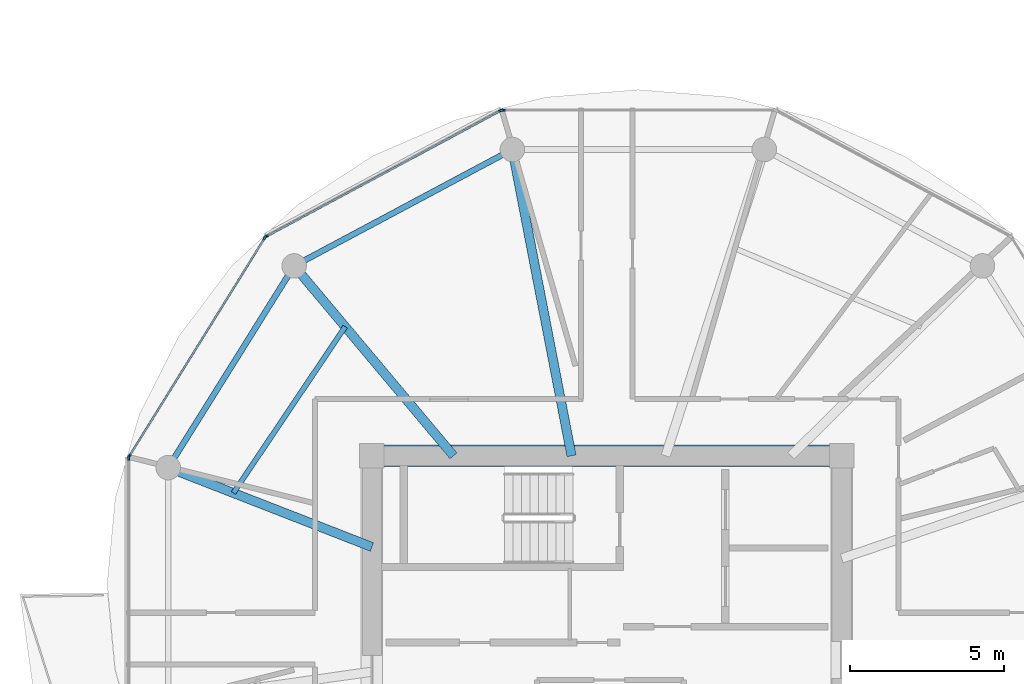
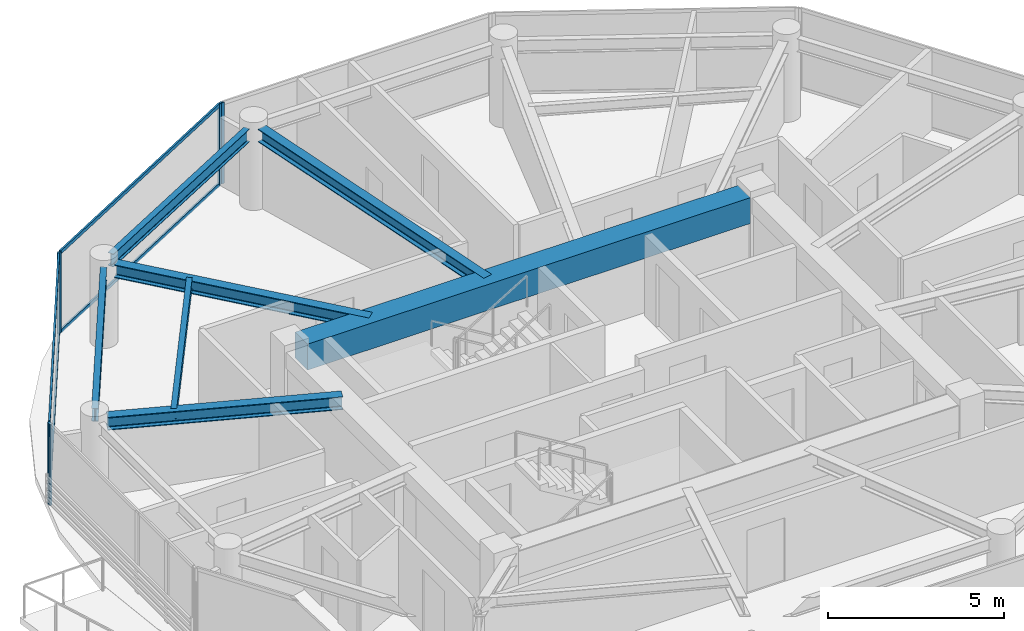
# One storey, part 4 of 22: 10 members, 7 beams, 4 elements without a shape of their own.
"""IFC4 building model written with IfcOpenShell, lengths in metres."""

from ifc_helpers import new_model, si_unit, direction, frame, origin, origin_2d, place, context, subcontext, project, spatial, rectangle, i_section, extrude, source, transform, mapped, material, layer, layer_set, material_profile, profile_set, type_object, type_shapes, element, aggregate, save


model = new_model("IFC4")

# Units and contexts
model_context = context("Model", 3, precision=1e-05, world=origin(), true_north=direction((0.0, 1.0)))
body_context = subcontext(model_context, "Body", "Model", "MODEL_VIEW")
ifc_project = project(units=[si_unit("LENGTHUNIT", "METRE"), si_unit("AREAUNIT", "SQUARE_METRE"), si_unit("VOLUMEUNIT", "CUBIC_METRE"), si_unit("PLANEANGLEUNIT", "RADIAN"), si_unit("MASSUNIT", "GRAM", prefix="KILO")], contexts=[model_context])

# Site, building, storey
site_placement = place(None, origin())
site = spatial("IfcSite", under=ifc_project, at=site_placement, CompositionType="ELEMENT")
building_placement = place(site_placement, origin())
building = spatial("IfcBuilding", under=site, at=building_placement, Name="Norrkilde Senior Care Towers", CompositionType="ELEMENT")
storey_placement = place(building_placement, frame((0.0, 0.0, 170.89990234375)))
storey = spatial("IfcBuildingStorey", under=building, at=storey_placement, Name="L53", CompositionType="ELEMENT", Elevation=170.89990234375)

# Beams
ifc_material_1 = material(Name="Concrete C60/75", Category="concrete")
ifc_material_profile_1 = material_profile(ifc_material_1, rectangle(XDim=0.699951171875, YDim=0.89990234375, at=origin_2d()), Name="RC BM 700x900")
ifc_profile_set_1 = profile_set([ifc_material_profile_1], Name="Concrete C60/75")
beam_type_1 = type_object("IfcBeamType", Name="Core Coupling Girder 700x900", PredefinedType="USERDEFINED", material=ifc_profile_set_1)
shared_shape_1 = source(origin(), body_context, "Body", "SweptSolid", [
    extrude(rectangle(XDim=0.699951171875, YDim=0.89990234375, at=origin_2d()), origin(), (0.0, 0.0, 1.0), 14.5400390625),
])
type_shapes(beam_type_1, [shared_shape_1])
beam_1_placement = place(storey_placement, frame((-35.27001953125, 5.949951171875, 2.360107421875), z_axis=(1.0, 0.0, 0.0), x_axis=(0.0, 1.0, 0.0)))
element("IfcBeam", 1, at=beam_1_placement, inside=storey, type_object=beam_type_1, Name="L53 Core W N Coupling Girder", ObjectType="GIRDER", PredefinedType="USERDEFINED", context=body_context, shape_type="MappedRepresentation", body=[
    mapped(shared_shape_1, transform((0.0, 0.0, 0.0), x_axis=(1.0, 0.0, 0.0), y_axis=(0.0, 1.0, 0.0), z_axis=(0.0, 0.0, 1.0), scale=1.0)),
])
ifc_material_2 = material(Name="Steel S355", Category="steel")
ifc_material_profile_2 = material_profile(ifc_material_2, i_section(OverallWidth=0.18994140625, OverallDepth=0.449951171875, WebThickness=0.009521484375, FlangeThickness=0.0146484375, FilletRadius=0.02099609375, at=origin_2d()), Name="IPE 450")
ifc_profile_set_2 = profile_set([ifc_material_profile_2], Name="Steel S355")
beam_type_2 = type_object("IfcBeamType", Name="Perimeter Ring Spandrel Z3 IPE450", PredefinedType="SPANDREL", material=ifc_profile_set_2)
shared_shape_2 = source(origin(), body_context, "Body", "SweptSolid", [
    extrude(i_section(OverallWidth=0.18994140625, OverallDepth=0.449951171875, WebThickness=0.009521484375, FlangeThickness=0.0146484375, FilletRadius=0.02099609375, at=origin_2d()), origin(), (0.0, 0.0, 1.0), 7.0234375),
])
beam_2_placement = place(storey_placement, frame((-38.373291015625, 11.8291015625, 2.585205078125), z_axis=(-0.529789577822, -0.848129119433, 0.0), x_axis=(0.848129119433, -0.529789577822, 0.0)))
element("IfcBeam", 2, at=beam_2_placement, inside=storey, type_object=beam_type_2, Name="L53 Drum W Perimeter Spandrel 05", PredefinedType="SPANDREL", context=body_context, shape_type="MappedRepresentation", body=[
    mapped(shared_shape_2, transform((0.0, 0.0, 0.0), x_axis=(1.0, 0.0, 0.0), y_axis=(0.0, 1.0, 0.0), z_axis=(0.0, 0.0, 1.0), scale=1.0)),
])
shared_shape_3 = source(origin(), body_context, "Body", "SweptSolid", [
    extrude(i_section(OverallWidth=0.18994140625, OverallDepth=0.449951171875, WebThickness=0.009521484375, FlangeThickness=0.0146484375, FilletRadius=0.02099609375, at=origin_2d()), origin(), (0.0, 0.0, 1.0), 7.333740234375),
])
type_shapes(beam_type_2, [shared_shape_2, shared_shape_3])
beam_3_placement = place(storey_placement, frame((-31.394775390625, 15.756591796875, 2.585205078125), z_axis=(-0.882247866069, -0.470785198172, 0.0), x_axis=(0.470785198172, -0.882247866069, 0.0)))
element("IfcBeam", 3, at=beam_3_placement, inside=storey, type_object=beam_type_2, Name="L53 Drum W Perimeter Spandrel 04", PredefinedType="SPANDREL", context=body_context, shape_type="MappedRepresentation", body=[
    mapped(shared_shape_3, transform((0.0, 0.0, 0.0), x_axis=(1.0, 0.0, 0.0), y_axis=(0.0, 1.0, 0.0), z_axis=(0.0, 0.0, 1.0), scale=1.0)),
])
ifc_material_profile_3 = material_profile(ifc_material_2, i_section(OverallWidth=0.300048828125, OverallDepth=0.449951171875, WebThickness=0.013916015625, FlangeThickness=0.02587890625, FilletRadius=0.027099609375, at=origin_2d()), Name="HEB 450")
ifc_profile_set_3 = profile_set([ifc_material_profile_3], Name="Steel S355")
beam_type_3 = type_object("IfcBeamType", Name="Radial Floor Beam Z3 HEB450", PredefinedType="BEAM", material=ifc_profile_set_3)
shared_shape_4 = source(origin(), body_context, "Body", "SweptSolid", [
    extrude(i_section(OverallWidth=0.300048828125, OverallDepth=0.449951171875, WebThickness=0.013916015625, FlangeThickness=0.02587890625, FilletRadius=0.027099609375, at=origin_2d()), origin(), (0.0, 0.0, 1.0), 9.80078125),
])
beam_4_placement = place(storey_placement, frame((-29.149658203125, 5.949951171875, 2.585205078125), z_axis=(-0.189716727661, 0.98183886827, 0.0), x_axis=(-0.98183886827, -0.189716727661, 0.0)))
element("IfcBeam", 4, at=beam_4_placement, inside=storey, type_object=beam_type_3, Name="L53 Drum W Radial Floor Beam 04", PredefinedType="BEAM", context=body_context, shape_type="MappedRepresentation", body=[
    mapped(shared_shape_4, transform((0.0, 0.0, 0.0), x_axis=(1.0, 0.0, 0.0), y_axis=(0.0, 1.0, 0.0), z_axis=(0.0, 0.0, 1.0), scale=1.0)),
])
shared_shape_5 = source(origin(), body_context, "Body", "SweptSolid", [
    extrude(i_section(OverallWidth=0.300048828125, OverallDepth=0.449951171875, WebThickness=0.013916015625, FlangeThickness=0.02587890625, FilletRadius=0.027099609375, at=origin_2d()), origin(), (0.0, 0.0, 1.0), 7.71337890625),
])
beam_5_placement = place(storey_placement, frame((-32.992919921875, 5.949951171875, 2.585205078125), z_axis=(-0.642808239864, 0.766027131872, 0.0), x_axis=(-0.766027131872, -0.642808239864, 0.0)))
element("IfcBeam", 5, at=beam_5_placement, inside=storey, type_object=beam_type_3, Name="L53 Drum W Radial Floor Beam 05", PredefinedType="BEAM", context=body_context, shape_type="MappedRepresentation", body=[
    mapped(shared_shape_5, transform((0.0, 0.0, 0.0), x_axis=(1.0, 0.0, 0.0), y_axis=(0.0, 1.0, 0.0), z_axis=(0.0, 0.0, 1.0), scale=1.0)),
])
shared_shape_6 = source(origin(), body_context, "Body", "SweptSolid", [
    extrude(i_section(OverallWidth=0.300048828125, OverallDepth=0.449951171875, WebThickness=0.013916015625, FlangeThickness=0.02587890625, FilletRadius=0.027099609375, at=origin_2d()), origin(), (0.0, 0.0, 1.0), 6.760986328125),
])
type_shapes(beam_type_3, [shared_shape_4, shared_shape_5, shared_shape_6])
beam_6_placement = place(storey_placement, frame((-35.64990234375, 2.981201171875, 2.585205078125), z_axis=(-0.931742171387, 0.363120539297, 0.0), x_axis=(-0.363120539297, -0.931742171387, 0.0)))
element("IfcBeam", 6, at=beam_6_placement, inside=storey, type_object=beam_type_3, Name="L53 Drum W Radial Floor Beam 06", PredefinedType="BEAM", context=body_context, shape_type="MappedRepresentation", body=[
    mapped(shared_shape_6, transform((0.0, 0.0, 0.0), x_axis=(1.0, 0.0, 0.0), y_axis=(0.0, 1.0, 0.0), z_axis=(0.0, 0.0, 1.0), scale=1.0)),
])
ifc_material_profile_4 = material_profile(ifc_material_2, i_section(OverallWidth=0.169921875, OverallDepth=0.360107421875, WebThickness=0.008056640625, FlangeThickness=0.0126953125, FilletRadius=0.01806640625, at=origin_2d()), Name="IPE 360")
ifc_profile_set_4 = profile_set([ifc_material_profile_4], Name="Steel S355")
beam_type_4 = type_object("IfcBeamType", Name="Secondary Floor Joist IPE360", PredefinedType="JOIST", material=ifc_profile_set_4)
shared_shape_7 = source(origin(), body_context, "Body", "SweptSolid", [
    extrude(i_section(OverallWidth=0.169921875, OverallDepth=0.360107421875, WebThickness=0.008056640625, FlangeThickness=0.0126953125, FilletRadius=0.01806640625, at=origin_2d()), origin(), (0.0, 0.0, 1.0), 6.525390625),
])
type_shapes(beam_type_4, [shared_shape_7])
beam_7_placement = place(storey_placement, frame((-36.52197265625, 10.155517578125, 2.630126953125), z_axis=(-0.55779590102, -0.829978152005, 0.0), x_axis=(0.829978152005, -0.55779590102, 0.0)))
element("IfcBeam", 7, at=beam_7_placement, inside=storey, type_object=beam_type_4, Name="L53 Drum W Secondary Floor Joist 2", PredefinedType="JOIST", context=body_context, shape_type="MappedRepresentation", body=[
    mapped(shared_shape_7, transform((0.0, 0.0, 0.0), x_axis=(1.0, 0.0, 0.0), y_axis=(0.0, 1.0, 0.0), z_axis=(0.0, 0.0, 1.0), scale=1.0)),
])

# Curtain wall, member
ifc_material_3 = material(Name="Triple Low-E Insulated Glazing", Category="glass")
ifc_layer = layer(ifc_material_3, 0.18994140625)
ifc_layer_set = layer_set([ifc_layer], Name="Triple Low-E Insulated Glazing")
curtain_wall_type = type_object("IfcCurtainWallType", Name="CW4 Zone 3 Senior Residence Curtain Wall", PredefinedType="NOTDEFINED", material=ifc_layer_set)
curtain_wall_1_placement = place(storey_placement, origin())
curtain_wall_1 = element("IfcCurtainWall", 8, at=curtain_wall_1_placement, inside=storey, type_object=curtain_wall_type, Name="L53 Drum W Curtain Wall 02", PredefinedType="NOTDEFINED")
ifc_material_4 = material(Name="Anodised Aluminium", Category="aluminium")
ifc_material_profile_5 = material_profile(ifc_material_4, rectangle(XDim=0.06494140625, YDim=0.14990234375, at=origin_2d()), Name="ALU MULL 65x150")
ifc_profile_set_5 = profile_set([ifc_material_profile_5], Name="Anodised Aluminium")
member_type_1 = type_object("IfcMemberType", Name="Curtain Wall Mullion Z3-Z4 65x150", PredefinedType="MULLION", material=ifc_profile_set_5)
shared_shape_8 = source(origin(), body_context, "Body", "SweptSolid", [
    extrude(rectangle(XDim=0.06494140625, YDim=0.14990234375, at=origin_2d()), origin(), (0.0, 0.0, 1.0), 2.81005859375),
])
type_shapes(member_type_1, [shared_shape_8])
member_1_placement = place(storey_placement, frame((-31.388916015625, 17.2109375, 0.0), z_axis=(0.0, 0.0, 1.0), x_axis=(0.0, 1.0, 0.0)))
member_1 = element("IfcMember", 9, at=member_1_placement, type_object=member_type_1, Name="CW-4 mullion 1", PredefinedType="MULLION", context=body_context, shape_type="MappedRepresentation", body=[
    mapped(shared_shape_8, transform((0.0, 0.0, 0.0), x_axis=(1.0, 0.0, 0.0), y_axis=(0.0, 1.0, 0.0), z_axis=(0.0, 0.0, 1.0), scale=1.0)),
])
aggregate(curtain_wall_1, [member_1])

# Curtain wall, members
curtain_wall_2_placement = place(storey_placement, origin())
curtain_wall_2 = element("IfcCurtainWall", 10, at=curtain_wall_2_placement, inside=storey, type_object=curtain_wall_type, Name="L53 Drum W Curtain Wall 03", PredefinedType="NOTDEFINED")
member_2_placement = place(storey_placement, frame((-39.094482421875, 13.09033203125, 0.0), z_axis=(0.0, 0.0, 1.0), x_axis=(-0.47311715104, 0.880999524059, 0.0)))
member_2 = element("IfcMember", 11, at=member_2_placement, type_object=member_type_1, Name="CW-4 mullion 1", PredefinedType="MULLION", context=body_context, shape_type="MappedRepresentation", body=[
    mapped(shared_shape_8, transform((0.0, 0.0, 0.0), x_axis=(1.0, 0.0, 0.0), y_axis=(0.0, 1.0, 0.0), z_axis=(0.0, 0.0, 1.0), scale=1.0)),
])
member_3_placement = place(storey_placement, frame((-31.4501953125, 17.195556640625, 0.0), z_axis=(0.0, 0.0, 1.0), x_axis=(-0.47311715104, 0.880999524059, 0.0)))
member_3 = element("IfcMember", 12, at=member_3_placement, type_object=member_type_1, Name="CW-4 mullion 2", PredefinedType="MULLION", context=body_context, shape_type="MappedRepresentation", body=[
    mapped(shared_shape_8, transform((0.0, 0.0, 0.0), x_axis=(1.0, 0.0, 0.0), y_axis=(0.0, 1.0, 0.0), z_axis=(0.0, 0.0, 1.0), scale=1.0)),
])

curtain_wall_3_placement = place(storey_placement, origin())
curtain_wall_3 = element("IfcCurtainWall", 13, at=curtain_wall_3_placement, inside=storey, type_object=curtain_wall_type, Name="L53 Drum W Curtain Wall 04", PredefinedType="NOTDEFINED")
member_4_placement = place(storey_placement, frame((-43.552490234375, 5.93896484375, 0.0), z_axis=(0.0, 0.0, 1.0), x_axis=(-0.84963405474, 0.52737270789, 0.0)))
member_4 = element("IfcMember", 14, at=member_4_placement, type_object=member_type_1, Name="CW-4 mullion 1", PredefinedType="MULLION", context=body_context, shape_type="MappedRepresentation", body=[
    mapped(shared_shape_8, transform((0.0, 0.0, 0.0), x_axis=(1.0, 0.0, 0.0), y_axis=(0.0, 1.0, 0.0), z_axis=(0.0, 0.0, 1.0), scale=1.0)),
])
member_5_placement = place(storey_placement, frame((-39.14013671875, 13.04736328125, 0.0), z_axis=(0.0, 0.0, 1.0), x_axis=(-0.84963405474, 0.52737270789, 0.0)))
member_5 = element("IfcMember", 15, at=member_5_placement, type_object=member_type_1, Name="CW-4 mullion 2", PredefinedType="MULLION", context=body_context, shape_type="MappedRepresentation", body=[
    mapped(shared_shape_8, transform((0.0, 0.0, 0.0), x_axis=(1.0, 0.0, 0.0), y_axis=(0.0, 1.0, 0.0), z_axis=(0.0, 0.0, 1.0), scale=1.0)),
])

# Curtain wall, member
curtain_wall_4_placement = place(storey_placement, origin())
curtain_wall_4 = element("IfcCurtainWall", 16, at=curtain_wall_4_placement, inside=storey, type_object=curtain_wall_type, Name="L53 Drum W Curtain Wall 05", PredefinedType="NOTDEFINED")
member_6_placement = place(storey_placement, frame((-43.569580078125, 5.878662109375, 0.0), z_axis=(0.0, 0.0, 1.0), x_axis=(-1.0, 0.0, 0.0)))
member_6 = element("IfcMember", 17, at=member_6_placement, type_object=member_type_1, Name="CW-4 mullion 2", PredefinedType="MULLION", context=body_context, shape_type="MappedRepresentation", body=[
    mapped(shared_shape_8, transform((0.0, 0.0, 0.0), x_axis=(1.0, 0.0, 0.0), y_axis=(0.0, 1.0, 0.0), z_axis=(0.0, 0.0, 1.0), scale=1.0)),
])
aggregate(curtain_wall_4, [member_6])

# Member
ifc_material_profile_6 = material_profile(ifc_material_4, rectangle(XDim=0.06005859375, YDim=0.1201171875, at=origin_2d()), Name="ALU TRAN 60x120")
ifc_profile_set_6 = profile_set([ifc_material_profile_6], Name="Anodised Aluminium")
member_type_2 = type_object("IfcMemberType", Name="Curtain Wall Transom Typical 60x120", PredefinedType="USERDEFINED", material=ifc_profile_set_6)
shared_shape_9 = source(origin(), body_context, "Body", "SweptSolid", [
    extrude(rectangle(XDim=0.06005859375, YDim=0.1201171875, at=origin_2d()), origin(), (0.0, 0.0, 1.0), 8.301513671875),
])
member_7_placement = place(storey_placement, frame((-43.535400390625, 5.966552734375, 0.030029296875), z_axis=(0.527368718394, 0.849636531029, 0.0), x_axis=(-0.849636531029, 0.527368718394, 0.0)))
member_7 = element("IfcMember", 18, at=member_7_placement, type_object=member_type_2, Name="CW-4 transom 1.1", ObjectType="TRANSOM", PredefinedType="USERDEFINED", context=body_context, shape_type="MappedRepresentation", body=[
    mapped(shared_shape_9, transform((0.0, 0.0, 0.0), x_axis=(1.0, 0.0, 0.0), y_axis=(0.0, 1.0, 0.0), z_axis=(0.0, 0.0, 1.0), scale=1.0)),
])

member_8_placement = place(storey_placement, frame((-43.535400390625, 5.966552734375, 2.780029296875), z_axis=(0.527368718394, 0.849636531029, 0.0), x_axis=(-0.849636531029, 0.527368718394, 0.0)))
member_8 = element("IfcMember", 19, at=member_8_placement, type_object=member_type_2, Name="CW-4 transom 1.2", ObjectType="TRANSOM", PredefinedType="USERDEFINED", context=body_context, shape_type="MappedRepresentation", body=[
    mapped(shared_shape_9, transform((0.0, 0.0, 0.0), x_axis=(1.0, 0.0, 0.0), y_axis=(0.0, 1.0, 0.0), z_axis=(0.0, 0.0, 1.0), scale=1.0)),
])

aggregate(curtain_wall_3, [member_4, member_5, member_7, member_8])

shared_shape_10 = source(origin(), body_context, "Body", "SweptSolid", [
    extrude(rectangle(XDim=0.06005859375, YDim=0.1201171875, at=origin_2d()), origin(), (0.0, 0.0, 1.0), 8.612060546875),
])
type_shapes(member_type_2, [shared_shape_9, shared_shape_10])
member_9_placement = place(storey_placement, frame((-39.06591796875, 13.105712890625, 0.030029296875), z_axis=(0.881000337462, 0.473115636384, 0.0), x_axis=(-0.473115636384, 0.881000337462, 0.0)))
member_9 = element("IfcMember", 20, at=member_9_placement, type_object=member_type_2, Name="CW-4 transom 1.1", ObjectType="TRANSOM", PredefinedType="USERDEFINED", context=body_context, shape_type="MappedRepresentation", body=[
    mapped(shared_shape_10, transform((0.0, 0.0, 0.0), x_axis=(1.0, 0.0, 0.0), y_axis=(0.0, 1.0, 0.0), z_axis=(0.0, 0.0, 1.0), scale=1.0)),
])

member_10_placement = place(storey_placement, frame((-39.06591796875, 13.105712890625, 2.780029296875), z_axis=(0.881000337462, 0.473115636384, 0.0), x_axis=(-0.473115636384, 0.881000337462, 0.0)))
member_10 = element("IfcMember", 21, at=member_10_placement, type_object=member_type_2, Name="CW-4 transom 1.2", ObjectType="TRANSOM", PredefinedType="USERDEFINED", context=body_context, shape_type="MappedRepresentation", body=[
    mapped(shared_shape_10, transform((0.0, 0.0, 0.0), x_axis=(1.0, 0.0, 0.0), y_axis=(0.0, 1.0, 0.0), z_axis=(0.0, 0.0, 1.0), scale=1.0)),
])

aggregate(curtain_wall_2, [member_2, member_3, member_9, member_10])

save(model, "model.ifc")
